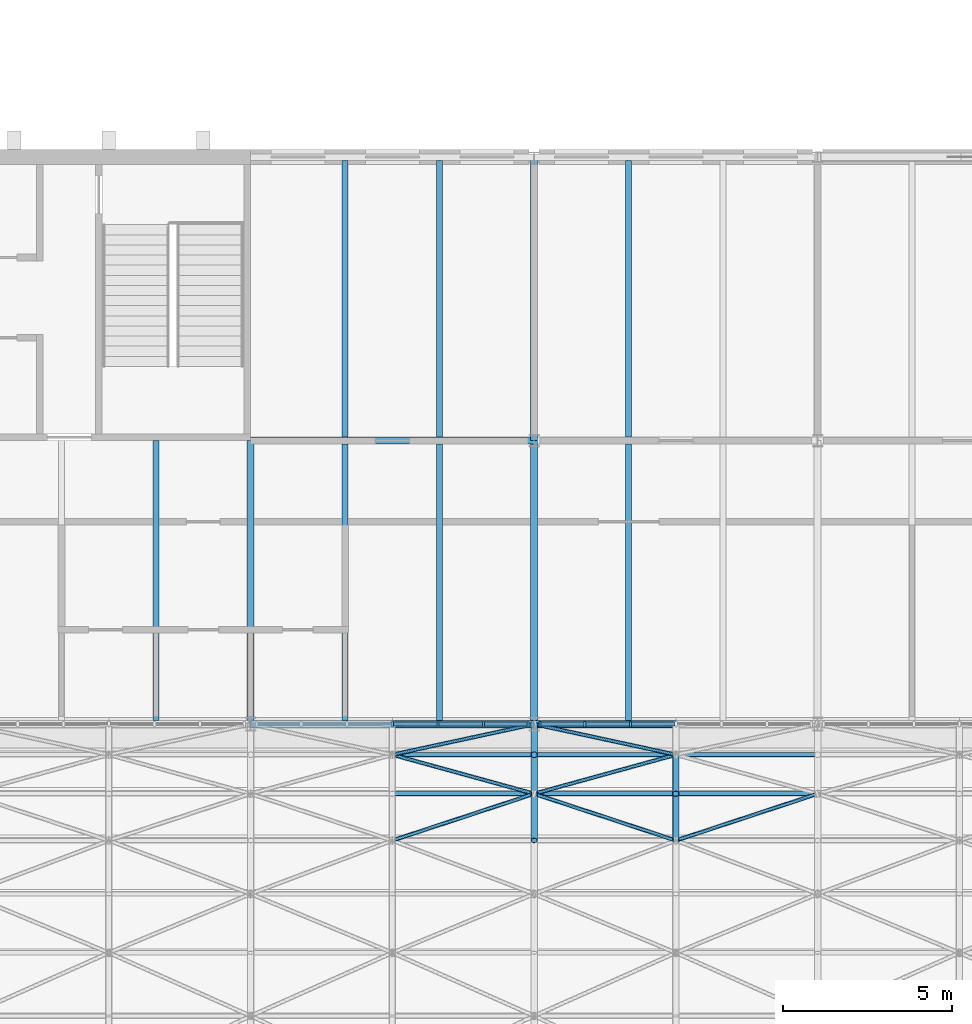
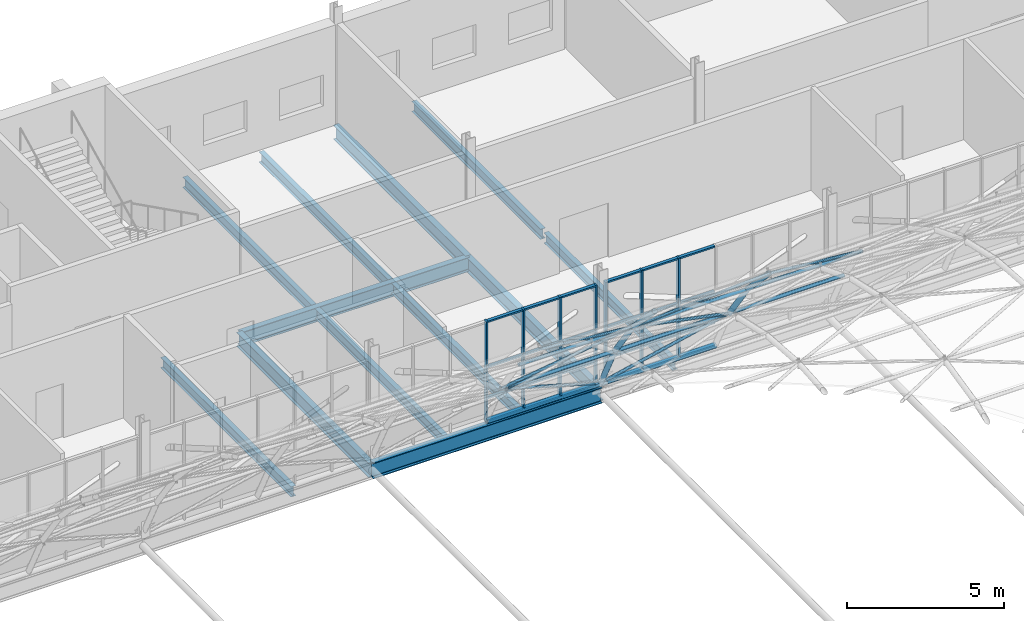
# One storey, part 54 of 121: 51 members, 12 beams, 2 elements without a shape of their own.
"""IFC4 building model written with IfcOpenShell, lengths in metres."""

import ifcopenshell
import ifcopenshell.guid

model = None  # the IFC model being written
_history = None  # IfcOwnerHistory: only IFC2X3 demands one
_inside = {}  # id of a spatial element -> (the spatial element, [elements in it])
_under = {}  # id of a project, library or spatial element -> (it, [spatial elements below it])
_declared = {}  # id of a project -> (the project, [libraries it declares])
_typed = {}  # id of a type object -> (the type object, [elements of that type])
_made_of = {}  # id of a material, layer set ... -> (it, [elements and type objects made of it])


def new_model(schema):
    """Start an empty IFC model of exactly this schema.

    Asked for "IFC4X3", IfcOpenShell would pick the latest addendum, in which some entities
    have other attributes; the version numbers below select the first issue.
    IFC2X3 requires an IfcOwnerHistory on every rooted entity: one is made here for all.
    """
    global model, _history
    if schema == "IFC4X3":
        model = ifcopenshell.file(schema_version=(4, 3, 0, 0))
    else:
        model = ifcopenshell.file(schema=schema)
    _inside.clear()
    _under.clear()
    _declared.clear()
    _typed.clear()
    _made_of.clear()
    _history = None
    if model.schema == "IFC2X3":
        org = make("IfcOrganization", Name="unknown")
        user = make(
            "IfcPersonAndOrganization",
            ThePerson=make("IfcPerson", FamilyName="unknown"),
            TheOrganization=org,
        )
        app = make(
            "IfcApplication",
            ApplicationDeveloper=org,
            Version="unknown",
            ApplicationFullName="unknown",
            ApplicationIdentifier="unknown",
        )
        _history = make(
            "IfcOwnerHistory",
            OwningUser=user,
            OwningApplication=app,
            ChangeAction="ADDED",
            CreationDate=0,
        )
    return model


def make(cls, **values):
    """One entity of the class cls with the attributes given. An attribute that is None is left unset."""
    return model.create_entity(
        cls, **{name: value for name, value in values.items() if value is not None}
    )


def rooted(cls, **values):
    """An entity with a GlobalId (a new one), such as an element, a storey or a relation."""
    return make(cls, GlobalId=ifcopenshell.guid.new(), OwnerHistory=_history, **values)


def si_unit(unit_type, name, prefix=None):
    """IfcSIUnit, for example si_unit("LENGTHUNIT", "METRE", prefix="MILLI")."""
    return make("IfcSIUnit", UnitType=unit_type, Prefix=prefix, Name=name)


def assignment(units):
    """IfcUnitAssignment: the units of a project."""
    return None if units is None else make("IfcUnitAssignment", Units=units)


def point(xyz):
    """IfcCartesianPoint."""
    return None if xyz is None else make("IfcCartesianPoint", Coordinates=xyz)


def direction(xyz):
    """IfcDirection."""
    return None if xyz is None else make("IfcDirection", DirectionRatios=xyz)


def frame(location, z_axis=None, x_axis=None):
    """IfcAxis2Placement3D, a coordinate frame: its origin and axes. An axis left out is left unset."""
    return make(
        "IfcAxis2Placement3D",
        Location=point(location),
        Axis=direction(z_axis),
        RefDirection=direction(x_axis),
    )


def frame_2d(location, x_axis=None):
    """IfcAxis2Placement2D, a coordinate frame in the plane: its origin and x axis."""
    return make(
        "IfcAxis2Placement2D", Location=point(location), RefDirection=direction(x_axis)
    )


def origin():
    """The frame at (0, 0, 0) with its axes left unset."""
    return frame((0.0, 0.0, 0.0))


def origin_2d():
    """The frame at (0, 0) in the plane with its x axis left unset."""
    return frame_2d((0.0, 0.0))


def place(relative_to, where):
    """IfcLocalPlacement: puts the frame where relative to a parent placement (None: the world)."""
    return make(
        "IfcLocalPlacement", PlacementRelTo=relative_to, RelativePlacement=where
    )


def context(
    kind, dimensions, precision=None, world=None, true_north=None, identifier=None
):
    """IfcGeometricRepresentationContext, for example the 3D "Model" context."""
    return make(
        "IfcGeometricRepresentationContext",
        ContextIdentifier=identifier,
        ContextType=kind,
        CoordinateSpaceDimension=dimensions,
        Precision=precision,
        WorldCoordinateSystem=world,
        TrueNorth=true_north,
    )


def subcontext(parent, identifier, kind, view, scale=None):
    """IfcGeometricRepresentationSubContext, for example "Body" below "Model"."""
    return make(
        "IfcGeometricRepresentationSubContext",
        ContextIdentifier=identifier,
        ContextType=kind,
        ParentContext=parent,
        TargetScale=scale,
        TargetView=view,
    )


def project(units=None, contexts=None):
    """IfcProject with its units and contexts."""
    return rooted(
        "IfcProject",
        Name="project",
        RepresentationContexts=contexts,
        UnitsInContext=assignment(units),
    )


def spatial(cls, under=None, at=None, **own):
    """A site, building, storey or space (cls), placed at a placement, below another one or the project."""
    s = rooted(cls, ObjectPlacement=at, **own)
    if under is not None:
        _under.setdefault(under.id(), (under, []))[1].append(s)
    return s


def profile(cls, at=None, kind="AREA", **sizes):
    """A parametric profile (cls). Its sizes go by their IFC names, for example OverallWidth=200.0."""
    return make(cls, ProfileType=kind, Position=at, **sizes)


def rectangle(**sizes):
    """IfcRectangleProfileDef."""
    return profile("IfcRectangleProfileDef", **sizes)


def hollow_circle(**sizes):
    """IfcCircleHollowProfileDef."""
    return profile("IfcCircleHollowProfileDef", **sizes)


def i_section(**sizes):
    """IfcIShapeProfileDef."""
    return profile("IfcIShapeProfileDef", **sizes)


def extrude(swept, where, along, depth):
    """IfcExtrudedAreaSolid: the profile swept, set in the frame where, extruded along a direction by depth."""
    return make(
        "IfcExtrudedAreaSolid",
        SweptArea=swept,
        Position=where,
        ExtrudedDirection=direction(along),
        Depth=depth,
    )


def shape(context_of_items, identifier, shape_type, items):
    """IfcShapeRepresentation: the items that make up one representation, for example the "Body"."""
    return make(
        "IfcShapeRepresentation",
        ContextOfItems=context_of_items,
        RepresentationIdentifier=identifier,
        RepresentationType=shape_type,
        Items=items,
    )


def material(Name=None, Category=None):
    """IfcMaterial."""
    return make("IfcMaterial", Name=Name, Category=Category)


def layer(
    of_material, thickness, ventilated=None, Name=None, Category=None, Priority=None
):
    """IfcMaterialLayer: one layer of a wall or slab, of a material (None: an air gap)."""
    return make(
        "IfcMaterialLayer",
        Material=of_material,
        LayerThickness=thickness,
        IsVentilated=ventilated,
        Name=Name,
        Category=Category,
        Priority=Priority,
    )


def layer_set(layers, Name=None):
    """IfcMaterialLayerSet."""
    return make("IfcMaterialLayerSet", MaterialLayers=layers, LayerSetName=Name)


def material_profile(
    of_material, cross_section, Name=None, Category=None, Priority=None
):
    """IfcMaterialProfile: a cross section and its material."""
    return make(
        "IfcMaterialProfile",
        Name=Name,
        Material=of_material,
        Profile=cross_section,
        Priority=Priority,
        Category=Category,
    )


def profile_set(profiles, Name=None, composite=None):
    """IfcMaterialProfileSet."""
    return make(
        "IfcMaterialProfileSet",
        Name=Name,
        MaterialProfiles=profiles,
        CompositeProfile=composite,
    )


def made_of(thing, what):
    """Note that an element or type object is made of a material, layer set ...; save() writes the relation."""
    if what is not None:
        _made_of.setdefault(what.id(), (what, []))[1].append(thing)
    return thing


def type_object(cls, material=None, **own):
    """A type object (cls), such as IfcWallType, which elements share."""
    return made_of(rooted(cls, **own), material)


def element(
    cls,
    number,
    at=None,
    inside=None,
    cuts=None,
    type_object=None,
    material=None,
    context=None,
    identifier="Body",
    shape_type=None,
    held_by="IfcProductDefinitionShape",
    body=None,
    shapes=None,
    **own,
):
    """One element of the class cls, such as IfcWall. Its Tag is "e" and its number.

    at: its placement. inside: the storey or other place that contains it. cuts: it is an
    opening in that element (IfcRelVoidsElement). A single representation is given by context,
    identifier, shape_type and body (its items); several are given by shapes. held_by: the class
    of the entity that holds the representations. save() writes the other relations.
    """
    e = rooted(cls, Tag="e%d" % number, ObjectPlacement=at, **own)
    if body is not None:
        shapes = [shape(context, identifier, shape_type, body)]
    if shapes is not None:
        e.Representation = make(held_by, Representations=shapes)
    if inside is not None:
        _inside.setdefault(inside.id(), (inside, []))[1].append(e)
    if cuts is not None:
        rooted(
            "IfcRelVoidsElement", RelatingBuildingElement=cuts, RelatedOpeningElement=e
        )
    if type_object is not None:
        _typed.setdefault(type_object.id(), (type_object, []))[1].append(e)
    return made_of(e, material)


def aggregate(whole, parts):
    """IfcRelAggregates: a whole, such as a stair, and the parts it consists of."""
    return rooted("IfcRelAggregates", RelatingObject=whole, RelatedObjects=parts)


def save(model, path):
    """Write the relations noted so far, then the file.

    IfcRelAggregates (storeys below a building ...), IfcRelContainedInSpatialStructure (elements
    in a storey), IfcRelDefinesByType, IfcRelAssociatesMaterial and IfcRelDeclares: one each for
    every whole, place, type object, material and project.
    """
    for whole, parts in _under.values():
        aggregate(whole, parts)
    for where, things in _inside.values():
        rooted(
            "IfcRelContainedInSpatialStructure",
            RelatedElements=things,
            RelatingStructure=where,
        )
    for kind, things in _typed.values():
        rooted("IfcRelDefinesByType", RelatedObjects=things, RelatingType=kind)
    for what, things in _made_of.values():
        rooted("IfcRelAssociatesMaterial", RelatedObjects=things, RelatingMaterial=what)
    for by, libraries in _declared.values():
        rooted("IfcRelDeclares", RelatingContext=by, RelatedDefinitions=libraries)
    model.write(path)


model = new_model("IFC4")

# Units and contexts
model_context = context("Model", 3, precision=1e-05, world=origin(), true_north=direction((0.0, 1.0)))
body_context = subcontext(model_context, "Body", "Model", "MODEL_VIEW")
ifc_project = project(units=[si_unit("LENGTHUNIT", "METRE"), si_unit("AREAUNIT", "SQUARE_METRE"), si_unit("VOLUMEUNIT", "CUBIC_METRE"), si_unit("PLANEANGLEUNIT", "RADIAN"), si_unit("MASSUNIT", "GRAM", prefix="KILO")], contexts=[model_context])

# Site, building, storey
site_placement = place(None, origin())
site = spatial("IfcSite", under=ifc_project, at=site_placement, CompositionType="ELEMENT")
building_placement = place(site_placement, origin())
building = spatial("IfcBuilding", under=site, at=building_placement, Name="Ardhachandra Cancer Care Centre", CompositionType="ELEMENT")
storey_placement = place(building_placement, frame((0.0, 0.0, 9.0)))
storey = spatial("IfcBuildingStorey", under=building, at=storey_placement, Name="L02", CompositionType="ELEMENT", Elevation=9.0)

# Beams
ifc_material_1 = material(Name="Steel E350 (IS 2062)", Category="steel")
ifc_material_profile_1 = material_profile(ifc_material_1, i_section(OverallWidth=0.179931640625, OverallDepth=0.39990234375, WebThickness=0.008544921875, FlangeThickness=0.013427734375, FilletRadius=0.02099609375, at=origin_2d()), Name="NPB 400x180x66.30")
ifc_profile_set_1 = profile_set([ifc_material_profile_1], Name="Steel E350 (IS 2062)")
beam_type_1 = type_object("IfcBeamType", Name="Beam NPB 400x180x66.30", PredefinedType="BEAM", material=ifc_profile_set_1)
beam_1_placement = place(storey_placement, frame((75.199951171875, 79.912109375, -0.35009765625), z_axis=(0.0, 1.0, 0.0), x_axis=(-1.0, 0.0, 0.0)))
element("IfcBeam", 1, at=beam_1_placement, inside=storey, type_object=beam_type_1, Name="Secondary J8-K8@5600", PredefinedType="BEAM", context=body_context, shape_type="SweptSolid", body=[
    extrude(i_section(OverallWidth=0.179931640625, OverallDepth=0.39990234375, WebThickness=0.008544921875, FlangeThickness=0.013427734375, FilletRadius=0.02099609375, at=origin_2d()), origin(), (0.0, 0.0, 1.0), 8.287841796875),
])
beam_2_placement = place(storey_placement, frame((80.800048828125, 79.912109375, -0.35009765625), z_axis=(0.0, 1.0, 0.0), x_axis=(-1.0, 0.0, 0.0)))
element("IfcBeam", 2, at=beam_2_placement, inside=storey, type_object=beam_type_1, Name="Secondary J9-K9@2800", PredefinedType="BEAM", context=body_context, shape_type="SweptSolid", body=[
    extrude(i_section(OverallWidth=0.179931640625, OverallDepth=0.39990234375, WebThickness=0.008544921875, FlangeThickness=0.013427734375, FilletRadius=0.02099609375, at=origin_2d()), origin(), (0.0, 0.0, 1.0), 8.182861328125),
])
beam_3_placement = place(storey_placement, frame((80.800048828125, 88.304931640625, -0.35009765625), z_axis=(0.0, 1.0, 0.0), x_axis=(-1.0, 0.0, 0.0)))
element("IfcBeam", 3, at=beam_3_placement, inside=storey, type_object=beam_type_1, Name="Secondary K9-L9@2800", PredefinedType="BEAM", context=body_context, shape_type="SweptSolid", body=[
    extrude(i_section(OverallWidth=0.179931640625, OverallDepth=0.39990234375, WebThickness=0.008544921875, FlangeThickness=0.013427734375, FilletRadius=0.02099609375, at=origin_2d()), origin(), (0.0, 0.0, 1.0), 8.195068359375),
])
beam_4_placement = place(storey_placement, frame((83.60009765625, 79.912109375, -0.35009765625), z_axis=(0.0, 1.0, 0.0), x_axis=(-1.0, 0.0, 0.0)))
element("IfcBeam", 4, at=beam_4_placement, inside=storey, type_object=beam_type_1, Name="Secondary J9-K9@5600", PredefinedType="BEAM", context=body_context, shape_type="SweptSolid", body=[
    extrude(i_section(OverallWidth=0.179931640625, OverallDepth=0.39990234375, WebThickness=0.008544921875, FlangeThickness=0.013427734375, FilletRadius=0.02099609375, at=origin_2d()), origin(), (0.0, 0.0, 1.0), 8.182861328125),
])
beam_5_placement = place(storey_placement, frame((83.60009765625, 88.304931640625, -0.35009765625), z_axis=(0.0, 1.0, 0.0), x_axis=(-1.0, 0.0, 0.0)))
element("IfcBeam", 5, at=beam_5_placement, inside=storey, type_object=beam_type_1, Name="Secondary K9-L9@5600", PredefinedType="BEAM", context=body_context, shape_type="SweptSolid", body=[
    extrude(i_section(OverallWidth=0.179931640625, OverallDepth=0.39990234375, WebThickness=0.008544921875, FlangeThickness=0.013427734375, FilletRadius=0.02099609375, at=origin_2d()), origin(), (0.0, 0.0, 1.0), 8.195068359375),
])
beam_6_placement = place(storey_placement, frame((89.199951171875, 79.912109375, -0.35009765625), z_axis=(0.0, 1.0, 0.0), x_axis=(-1.0, 0.0, 0.0)))
element("IfcBeam", 6, at=beam_6_placement, inside=storey, type_object=beam_type_1, Name="Secondary J10-K10@2800", PredefinedType="BEAM", context=body_context, shape_type="SweptSolid", body=[
    extrude(i_section(OverallWidth=0.179931640625, OverallDepth=0.39990234375, WebThickness=0.008544921875, FlangeThickness=0.013427734375, FilletRadius=0.02099609375, at=origin_2d()), origin(), (0.0, 0.0, 1.0), 8.182861328125),
])
beam_7_placement = place(storey_placement, frame((89.199951171875, 88.304931640625, -0.35009765625), z_axis=(0.0, 1.0, 0.0), x_axis=(-1.0, 0.0, 0.0)))
element("IfcBeam", 7, at=beam_7_placement, inside=storey, type_object=beam_type_1, Name="Secondary K10-L10@2800", PredefinedType="BEAM", context=body_context, shape_type="SweptSolid", body=[
    extrude(i_section(OverallWidth=0.179931640625, OverallDepth=0.39990234375, WebThickness=0.008544921875, FlangeThickness=0.013427734375, FilletRadius=0.02099609375, at=origin_2d()), origin(), (0.0, 0.0, 1.0), 8.195068359375),
])
ifc_material_2 = material(Name="Steel E350 (IS 2062)", Category="steel")
ifc_material_profile_2 = material_profile(ifc_material_2, i_section(OverallWidth=0.2099609375, OverallDepth=0.550048828125, WebThickness=0.010986328125, FlangeThickness=0.01708984375, FilletRadius=0.02392578125, at=origin_2d()), Name="NPB 550x210x105.52")
ifc_profile_set_2 = profile_set([ifc_material_profile_2], Name="Steel E350 (IS 2062)")
beam_type_2 = type_object("IfcBeamType", Name="Beam NPB 550x210x105.52", PredefinedType="BEAM", material=ifc_profile_set_2)
for number, where, z_axis, x_axis, name in (
    (8, (78.0, 88.199951171875, -0.425048828125), (1.0, 0.0, 0.0), (0.0, 1.0, 0.0), "Girder K9-K10"),
    (9, (78.0, 79.800048828125, -0.425048828125), (0.0, 1.0, 0.0), (-1.0, 0.0, 0.0), "Girder J9-K9"),
    (10, (86.39990234375, 79.800048828125, -0.425048828125), (0.0, 1.0, 0.0), (-1.0, 0.0, 0.0), "Girder J10-K10"),
):
    element("IfcBeam", number, at=place(storey_placement, frame(where, z_axis=z_axis, x_axis=x_axis)), inside=storey, type_object=beam_type_2, Name=name, PredefinedType="BEAM", context=body_context, shape_type="SweptSolid", body=[
        extrude(i_section(OverallWidth=0.2099609375, OverallDepth=0.550048828125, WebThickness=0.010986328125, FlangeThickness=0.01708984375, FilletRadius=0.02392578125, at=origin_2d()), origin(), (0.0, 0.0, 1.0), 8.39990234375),
    ])
beam_8_placement = place(storey_placement, frame((86.39990234375, 88.199951171875, -0.425048828125), z_axis=(0.0, 1.0, 0.0), x_axis=(-1.0, 0.0, 0.0)))
element("IfcBeam", 11, at=beam_8_placement, inside=storey, type_object=beam_type_2, Name="Girder K10-L10", PredefinedType="BEAM", context=body_context, shape_type="SweptSolid", body=[
    extrude(i_section(OverallWidth=0.2099609375, OverallDepth=0.550048828125, WebThickness=0.010986328125, FlangeThickness=0.01708984375, FilletRadius=0.02392578125, at=origin_2d()), origin(), (0.0, 0.0, 1.0), 8.400146484375),
])
ifc_material_3 = material(Name="Steel E350 (IS 2062)", Category="steel")
ifc_material_profile_3 = material_profile(ifc_material_3, i_section(OverallWidth=0.22412109375, OverallDepth=0.610107421875, WebThickness=0.014892578125, FlangeThickness=0.02392578125, FilletRadius=0.02392578125, at=origin_2d()), Name="NPB 600x220x154.46")
ifc_profile_set_3 = profile_set([ifc_material_profile_3], Name="Steel E350 (IS 2062)")
beam_type_3 = type_object("IfcBeamType", Name="Beam NPB 600x220x154.46", PredefinedType="BEAM", material=ifc_profile_set_3)
beam_9_placement = place(storey_placement, frame((78.0, 79.800048828125, -0.41455078125), z_axis=(1.0, 0.0, 0.0), x_axis=(0.0, 1.0, 0.0)))
element("IfcBeam", 12, at=beam_9_placement, inside=storey, type_object=beam_type_3, Name="Shell edge beam J9-J10", PredefinedType="BEAM", context=body_context, shape_type="SweptSolid", body=[
    extrude(i_section(OverallWidth=0.22412109375, OverallDepth=0.610107421875, WebThickness=0.014892578125, FlangeThickness=0.02392578125, FilletRadius=0.02392578125, at=origin_2d()), origin(), (0.0, 0.0, 1.0), 8.39990234375),
])

# Curtain wall, members
ifc_material_4 = material(Name="Aluminium extrusion", Category="aluminium")
ifc_layer = layer(ifc_material_4, 0.14990234375)
ifc_layer_set = layer_set([ifc_layer], Name="Aluminium extrusion")
curtain_wall_type = type_object("IfcCurtainWallType", Name="Curtain wall run", PredefinedType="NOTDEFINED", material=ifc_layer_set)
curtain_wall_1_placement = place(storey_placement, origin())
curtain_wall_1 = element("IfcCurtainWall", 13, at=curtain_wall_1_placement, inside=storey, type_object=curtain_wall_type, Name="Curtain wall L02 s/0078000_0079800", PredefinedType="NOTDEFINED")
ifc_material_5 = material(Name="Aluminium extrusion", Category="aluminium")
ifc_material_profile_4 = material_profile(ifc_material_5, rectangle(XDim=0.159912109375, YDim=0.06005859375, at=origin_2d()), Name="Curtain wall mullion 60 x 160")
ifc_profile_set_4 = profile_set([ifc_material_profile_4], Name="Aluminium extrusion")
member_type_1 = type_object("IfcMemberType", Name="Curtain wall mullion 60 x 160", PredefinedType="MULLION", material=ifc_profile_set_4)
member_1_placement = place(storey_placement, frame((82.199951171875, 79.800048828125, 0.0), z_axis=(0.0, 0.0, 1.0), x_axis=(0.0, 1.0, 0.0)))
member_1 = element("IfcMember", 14, at=member_1_placement, type_object=member_type_1, Name="CW mullion 4", PredefinedType="MULLION", context=body_context, shape_type="SweptSolid", body=[
    extrude(rectangle(XDim=0.159912109375, YDim=0.06005859375, at=origin_2d()), origin(), (0.0, 0.0, 1.0), 3.885986328125),
])
member_2_placement = place(storey_placement, frame((83.550048828125, 79.800048828125, 0.0), z_axis=(0.0, 0.0, 1.0), x_axis=(0.0, 1.0, 0.0)))
member_2 = element("IfcMember", 15, at=member_2_placement, type_object=member_type_1, Name="CW mullion 5", PredefinedType="MULLION", context=body_context, shape_type="SweptSolid", body=[
    extrude(rectangle(XDim=0.159912109375, YDim=0.06005859375, at=origin_2d()), origin(), (0.0, 0.0, 1.0), 3.885986328125),
])
member_3_placement = place(storey_placement, frame((84.89990234375, 79.800048828125, 0.0), z_axis=(0.0, 0.0, 1.0), x_axis=(0.0, 1.0, 0.0)))
member_3 = element("IfcMember", 16, at=member_3_placement, type_object=member_type_1, Name="CW mullion 6", PredefinedType="MULLION", context=body_context, shape_type="SweptSolid", body=[
    extrude(rectangle(XDim=0.159912109375, YDim=0.06005859375, at=origin_2d()), origin(), (0.0, 0.0, 1.0), 3.885986328125),
])
member_4_placement = place(storey_placement, frame((86.219970703125, 79.800048828125, 0.0), z_axis=(0.0, 0.0, 1.0), x_axis=(0.0, 1.0, 0.0)))
member_4 = element("IfcMember", 17, at=member_4_placement, type_object=member_type_1, Name="CW mullion 7", PredefinedType="MULLION", context=body_context, shape_type="SweptSolid", body=[
    extrude(rectangle(XDim=0.159912109375, YDim=0.06005859375, at=origin_2d()), origin(), (0.0, 0.0, 1.0), 3.885986328125),
])

curtain_wall_2_placement = place(storey_placement, origin())
curtain_wall_2 = element("IfcCurtainWall", 18, at=curtain_wall_2_placement, inside=storey, type_object=curtain_wall_type, Name="Curtain wall L02 s/0086400_0079800", PredefinedType="NOTDEFINED")
member_5_placement = place(storey_placement, frame((86.580078125, 79.800048828125, 0.0), z_axis=(0.0, 0.0, 1.0), x_axis=(0.0, 1.0, 0.0)))
member_5 = element("IfcMember", 19, at=member_5_placement, type_object=member_type_1, Name="CW mullion 1", PredefinedType="MULLION", context=body_context, shape_type="SweptSolid", body=[
    extrude(rectangle(XDim=0.159912109375, YDim=0.06005859375, at=origin_2d()), origin(), (0.0, 0.0, 1.0), 3.885986328125),
])
member_6_placement = place(storey_placement, frame((87.89990234375, 79.800048828125, 0.0), z_axis=(0.0, 0.0, 1.0), x_axis=(0.0, 1.0, 0.0)))
member_6 = element("IfcMember", 20, at=member_6_placement, type_object=member_type_1, Name="CW mullion 2", PredefinedType="MULLION", context=body_context, shape_type="SweptSolid", body=[
    extrude(rectangle(XDim=0.159912109375, YDim=0.06005859375, at=origin_2d()), origin(), (0.0, 0.0, 1.0), 3.885986328125),
])
member_7_placement = place(storey_placement, frame((89.25, 79.800048828125, 0.0), z_axis=(0.0, 0.0, 1.0), x_axis=(0.0, 1.0, 0.0)))
member_7 = element("IfcMember", 21, at=member_7_placement, type_object=member_type_1, Name="CW mullion 3", PredefinedType="MULLION", context=body_context, shape_type="SweptSolid", body=[
    extrude(rectangle(XDim=0.159912109375, YDim=0.06005859375, at=origin_2d()), origin(), (0.0, 0.0, 1.0), 3.885986328125),
])

# Member
ifc_material_6 = material(Name="Aluminium extrusion", Category="aluminium")
ifc_material_profile_5 = material_profile(ifc_material_6, rectangle(XDim=0.1201171875, YDim=0.06005859375, at=origin_2d()), Name="Curtain wall transom 60 x 120")
ifc_profile_set_5 = profile_set([ifc_material_profile_5], Name="Aluminium extrusion")
member_type_2 = type_object("IfcMemberType", Name="Curtain wall transom 60 x 120", PredefinedType="USERDEFINED", material=ifc_profile_set_5)
member_8_placement = place(storey_placement, frame((82.22998046875, 79.800048828125, 0.030029296875), z_axis=(1.0, 0.0, 0.0), x_axis=(0.0, 1.0, 0.0)))
member_8 = element("IfcMember", 22, at=member_8_placement, type_object=member_type_2, Name="CW transom 4.1", ObjectType="TRANSOM", PredefinedType="USERDEFINED", context=body_context, shape_type="SweptSolid", body=[
    extrude(rectangle(XDim=0.1201171875, YDim=0.06005859375, at=origin_2d()), origin(), (0.0, 0.0, 1.0), 1.2900390625),
])

member_9_placement = place(storey_placement, frame((82.22998046875, 79.800048828125, 0.89990234375), z_axis=(1.0, 0.0, 0.0), x_axis=(0.0, 1.0, 0.0)))
member_9 = element("IfcMember", 23, at=member_9_placement, type_object=member_type_2, Name="CW transom 4.2", ObjectType="TRANSOM", PredefinedType="USERDEFINED", context=body_context, shape_type="SweptSolid", body=[
    extrude(rectangle(XDim=0.1201171875, YDim=0.06005859375, at=origin_2d()), origin(), (0.0, 0.0, 1.0), 1.2900390625),
])

member_10_placement = place(storey_placement, frame((82.22998046875, 79.800048828125, 2.10009765625), z_axis=(1.0, 0.0, 0.0), x_axis=(0.0, 1.0, 0.0)))
member_10 = element("IfcMember", 24, at=member_10_placement, type_object=member_type_2, Name="CW transom 4.3", ObjectType="TRANSOM", PredefinedType="USERDEFINED", context=body_context, shape_type="SweptSolid", body=[
    extrude(rectangle(XDim=0.1201171875, YDim=0.06005859375, at=origin_2d()), origin(), (0.0, 0.0, 1.0), 1.2900390625),
])

member_11_placement = place(storey_placement, frame((82.22998046875, 79.800048828125, 3.85595703125), z_axis=(1.0, 0.0, 0.0), x_axis=(0.0, 1.0, 0.0)))
member_11 = element("IfcMember", 25, at=member_11_placement, type_object=member_type_2, Name="CW transom 4.4", ObjectType="TRANSOM", PredefinedType="USERDEFINED", context=body_context, shape_type="SweptSolid", body=[
    extrude(rectangle(XDim=0.1201171875, YDim=0.06005859375, at=origin_2d()), origin(), (0.0, 0.0, 1.0), 1.2900390625),
])

member_12_placement = place(storey_placement, frame((83.580078125, 79.800048828125, 0.030029296875), z_axis=(1.0, 0.0, 0.0), x_axis=(0.0, 1.0, 0.0)))
member_12 = element("IfcMember", 26, at=member_12_placement, type_object=member_type_2, Name="CW transom 5.1", ObjectType="TRANSOM", PredefinedType="USERDEFINED", context=body_context, shape_type="SweptSolid", body=[
    extrude(rectangle(XDim=0.1201171875, YDim=0.06005859375, at=origin_2d()), origin(), (0.0, 0.0, 1.0), 1.2900390625),
])

member_13_placement = place(storey_placement, frame((83.580078125, 79.800048828125, 0.89990234375), z_axis=(1.0, 0.0, 0.0), x_axis=(0.0, 1.0, 0.0)))
member_13 = element("IfcMember", 27, at=member_13_placement, type_object=member_type_2, Name="CW transom 5.2", ObjectType="TRANSOM", PredefinedType="USERDEFINED", context=body_context, shape_type="SweptSolid", body=[
    extrude(rectangle(XDim=0.1201171875, YDim=0.06005859375, at=origin_2d()), origin(), (0.0, 0.0, 1.0), 1.2900390625),
])

member_14_placement = place(storey_placement, frame((83.580078125, 79.800048828125, 2.10009765625), z_axis=(1.0, 0.0, 0.0), x_axis=(0.0, 1.0, 0.0)))
member_14 = element("IfcMember", 28, at=member_14_placement, type_object=member_type_2, Name="CW transom 5.3", ObjectType="TRANSOM", PredefinedType="USERDEFINED", context=body_context, shape_type="SweptSolid", body=[
    extrude(rectangle(XDim=0.1201171875, YDim=0.06005859375, at=origin_2d()), origin(), (0.0, 0.0, 1.0), 1.2900390625),
])

member_15_placement = place(storey_placement, frame((83.580078125, 79.800048828125, 3.85595703125), z_axis=(1.0, 0.0, 0.0), x_axis=(0.0, 1.0, 0.0)))
member_15 = element("IfcMember", 29, at=member_15_placement, type_object=member_type_2, Name="CW transom 5.4", ObjectType="TRANSOM", PredefinedType="USERDEFINED", context=body_context, shape_type="SweptSolid", body=[
    extrude(rectangle(XDim=0.1201171875, YDim=0.06005859375, at=origin_2d()), origin(), (0.0, 0.0, 1.0), 1.2900390625),
])

member_16_placement = place(storey_placement, frame((84.929931640625, 79.800048828125, 0.030029296875), z_axis=(1.0, 0.0, 0.0), x_axis=(0.0, 1.0, 0.0)))
member_16 = element("IfcMember", 30, at=member_16_placement, type_object=member_type_2, Name="CW transom 6.1", ObjectType="TRANSOM", PredefinedType="USERDEFINED", context=body_context, shape_type="SweptSolid", body=[
    extrude(rectangle(XDim=0.1201171875, YDim=0.06005859375, at=origin_2d()), origin(), (0.0, 0.0, 1.0), 1.260009765625),
])

member_17_placement = place(storey_placement, frame((84.929931640625, 79.800048828125, 0.89990234375), z_axis=(1.0, 0.0, 0.0), x_axis=(0.0, 1.0, 0.0)))
member_17 = element("IfcMember", 31, at=member_17_placement, type_object=member_type_2, Name="CW transom 6.2", ObjectType="TRANSOM", PredefinedType="USERDEFINED", context=body_context, shape_type="SweptSolid", body=[
    extrude(rectangle(XDim=0.1201171875, YDim=0.06005859375, at=origin_2d()), origin(), (0.0, 0.0, 1.0), 1.260009765625),
])

member_18_placement = place(storey_placement, frame((84.929931640625, 79.800048828125, 2.10009765625), z_axis=(1.0, 0.0, 0.0), x_axis=(0.0, 1.0, 0.0)))
member_18 = element("IfcMember", 32, at=member_18_placement, type_object=member_type_2, Name="CW transom 6.3", ObjectType="TRANSOM", PredefinedType="USERDEFINED", context=body_context, shape_type="SweptSolid", body=[
    extrude(rectangle(XDim=0.1201171875, YDim=0.06005859375, at=origin_2d()), origin(), (0.0, 0.0, 1.0), 1.260009765625),
])

member_19_placement = place(storey_placement, frame((84.929931640625, 79.800048828125, 3.85595703125), z_axis=(1.0, 0.0, 0.0), x_axis=(0.0, 1.0, 0.0)))
member_19 = element("IfcMember", 33, at=member_19_placement, type_object=member_type_2, Name="CW transom 6.4", ObjectType="TRANSOM", PredefinedType="USERDEFINED", context=body_context, shape_type="SweptSolid", body=[
    extrude(rectangle(XDim=0.1201171875, YDim=0.06005859375, at=origin_2d()), origin(), (0.0, 0.0, 1.0), 1.260009765625),
])

aggregate(curtain_wall_1, [member_1, member_2, member_3, member_4, member_8, member_9, member_10, member_11, member_12, member_13, member_14, member_15, member_16, member_17, member_18, member_19])

member_20_placement = place(storey_placement, frame((86.610107421875, 79.800048828125, 0.030029296875), z_axis=(1.0, 0.0, 0.0), x_axis=(0.0, 1.0, 0.0)))
member_20 = element("IfcMember", 34, at=member_20_placement, type_object=member_type_2, Name="CW transom 1.1", ObjectType="TRANSOM", PredefinedType="USERDEFINED", context=body_context, shape_type="SweptSolid", body=[
    extrude(rectangle(XDim=0.1201171875, YDim=0.06005859375, at=origin_2d()), origin(), (0.0, 0.0, 1.0), 1.260009765625),
])

member_21_placement = place(storey_placement, frame((86.610107421875, 79.800048828125, 0.89990234375), z_axis=(1.0, 0.0, 0.0), x_axis=(0.0, 1.0, 0.0)))
member_21 = element("IfcMember", 35, at=member_21_placement, type_object=member_type_2, Name="CW transom 1.2", ObjectType="TRANSOM", PredefinedType="USERDEFINED", context=body_context, shape_type="SweptSolid", body=[
    extrude(rectangle(XDim=0.1201171875, YDim=0.06005859375, at=origin_2d()), origin(), (0.0, 0.0, 1.0), 1.260009765625),
])

member_22_placement = place(storey_placement, frame((86.610107421875, 79.800048828125, 2.10009765625), z_axis=(1.0, 0.0, 0.0), x_axis=(0.0, 1.0, 0.0)))
member_22 = element("IfcMember", 36, at=member_22_placement, type_object=member_type_2, Name="CW transom 1.3", ObjectType="TRANSOM", PredefinedType="USERDEFINED", context=body_context, shape_type="SweptSolid", body=[
    extrude(rectangle(XDim=0.1201171875, YDim=0.06005859375, at=origin_2d()), origin(), (0.0, 0.0, 1.0), 1.260009765625),
])

member_23_placement = place(storey_placement, frame((86.610107421875, 79.800048828125, 3.85595703125), z_axis=(1.0, 0.0, 0.0), x_axis=(0.0, 1.0, 0.0)))
member_23 = element("IfcMember", 37, at=member_23_placement, type_object=member_type_2, Name="CW transom 1.4", ObjectType="TRANSOM", PredefinedType="USERDEFINED", context=body_context, shape_type="SweptSolid", body=[
    extrude(rectangle(XDim=0.1201171875, YDim=0.06005859375, at=origin_2d()), origin(), (0.0, 0.0, 1.0), 1.260009765625),
])

member_24_placement = place(storey_placement, frame((87.929931640625, 79.800048828125, 0.030029296875), z_axis=(1.0, 0.0, 0.0), x_axis=(0.0, 1.0, 0.0)))
member_24 = element("IfcMember", 38, at=member_24_placement, type_object=member_type_2, Name="CW transom 2.1", ObjectType="TRANSOM", PredefinedType="USERDEFINED", context=body_context, shape_type="SweptSolid", body=[
    extrude(rectangle(XDim=0.1201171875, YDim=0.06005859375, at=origin_2d()), origin(), (0.0, 0.0, 1.0), 1.2900390625),
])

member_25_placement = place(storey_placement, frame((87.929931640625, 79.800048828125, 0.89990234375), z_axis=(1.0, 0.0, 0.0), x_axis=(0.0, 1.0, 0.0)))
member_25 = element("IfcMember", 39, at=member_25_placement, type_object=member_type_2, Name="CW transom 2.2", ObjectType="TRANSOM", PredefinedType="USERDEFINED", context=body_context, shape_type="SweptSolid", body=[
    extrude(rectangle(XDim=0.1201171875, YDim=0.06005859375, at=origin_2d()), origin(), (0.0, 0.0, 1.0), 1.2900390625),
])

member_26_placement = place(storey_placement, frame((87.929931640625, 79.800048828125, 2.10009765625), z_axis=(1.0, 0.0, 0.0), x_axis=(0.0, 1.0, 0.0)))
member_26 = element("IfcMember", 40, at=member_26_placement, type_object=member_type_2, Name="CW transom 2.3", ObjectType="TRANSOM", PredefinedType="USERDEFINED", context=body_context, shape_type="SweptSolid", body=[
    extrude(rectangle(XDim=0.1201171875, YDim=0.06005859375, at=origin_2d()), origin(), (0.0, 0.0, 1.0), 1.2900390625),
])

member_27_placement = place(storey_placement, frame((87.929931640625, 79.800048828125, 3.85595703125), z_axis=(1.0, 0.0, 0.0), x_axis=(0.0, 1.0, 0.0)))
member_27 = element("IfcMember", 41, at=member_27_placement, type_object=member_type_2, Name="CW transom 2.4", ObjectType="TRANSOM", PredefinedType="USERDEFINED", context=body_context, shape_type="SweptSolid", body=[
    extrude(rectangle(XDim=0.1201171875, YDim=0.06005859375, at=origin_2d()), origin(), (0.0, 0.0, 1.0), 1.2900390625),
])

member_28_placement = place(storey_placement, frame((89.280029296875, 79.800048828125, 0.030029296875), z_axis=(1.0, 0.0, 0.0), x_axis=(0.0, 1.0, 0.0)))
member_28 = element("IfcMember", 42, at=member_28_placement, type_object=member_type_2, Name="CW transom 3.1", ObjectType="TRANSOM", PredefinedType="USERDEFINED", context=body_context, shape_type="SweptSolid", body=[
    extrude(rectangle(XDim=0.1201171875, YDim=0.06005859375, at=origin_2d()), origin(), (0.0, 0.0, 1.0), 1.2900390625),
])

member_29_placement = place(storey_placement, frame((89.280029296875, 79.800048828125, 0.89990234375), z_axis=(1.0, 0.0, 0.0), x_axis=(0.0, 1.0, 0.0)))
member_29 = element("IfcMember", 43, at=member_29_placement, type_object=member_type_2, Name="CW transom 3.2", ObjectType="TRANSOM", PredefinedType="USERDEFINED", context=body_context, shape_type="SweptSolid", body=[
    extrude(rectangle(XDim=0.1201171875, YDim=0.06005859375, at=origin_2d()), origin(), (0.0, 0.0, 1.0), 1.2900390625),
])

member_30_placement = place(storey_placement, frame((89.280029296875, 79.800048828125, 2.10009765625), z_axis=(1.0, 0.0, 0.0), x_axis=(0.0, 1.0, 0.0)))
member_30 = element("IfcMember", 44, at=member_30_placement, type_object=member_type_2, Name="CW transom 3.3", ObjectType="TRANSOM", PredefinedType="USERDEFINED", context=body_context, shape_type="SweptSolid", body=[
    extrude(rectangle(XDim=0.1201171875, YDim=0.06005859375, at=origin_2d()), origin(), (0.0, 0.0, 1.0), 1.2900390625),
])

member_31_placement = place(storey_placement, frame((89.280029296875, 79.800048828125, 3.85595703125), z_axis=(1.0, 0.0, 0.0), x_axis=(0.0, 1.0, 0.0)))
member_31 = element("IfcMember", 45, at=member_31_placement, type_object=member_type_2, Name="CW transom 3.4", ObjectType="TRANSOM", PredefinedType="USERDEFINED", context=body_context, shape_type="SweptSolid", body=[
    extrude(rectangle(XDim=0.1201171875, YDim=0.06005859375, at=origin_2d()), origin(), (0.0, 0.0, 1.0), 1.2900390625),
])

aggregate(curtain_wall_2, [member_5, member_6, member_7, member_20, member_21, member_22, member_23, member_24, member_25, member_26, member_27, member_28, member_29, member_30, member_31])

# Members
ifc_material_7 = material(Name="Steel E350 (IS 2062)", Category="steel")
ifc_material_profile_6 = material_profile(ifc_material_7, hollow_circle(Radius=0.05712890625, WallThickness=0.0048828125, at=origin_2d()), Name="CHS 114.3x5.0")
ifc_profile_set_6 = profile_set([ifc_material_profile_6], Name="Steel E350 (IS 2062)")
member_type_3 = type_object("IfcMemberType", Name="Hall shell Diagonal CHS 114.3x5.0", PredefinedType="BRACE", material=ifc_profile_set_6)
for number, where, z_axis, x_axis, name in (
    (46, (82.199951171875, 76.353515625, 4.8759765625), (0.902457097304, 0.297496610987, -0.311555699639), (-0.313079224057, 0.949727013128, 0.0), "Hall shell diagonal 09-13"),
    (47, (86.39990234375, 77.738037109375, 3.426025390625), (-0.902461325562, 0.248605721202, -0.351793620253), (-0.265582388334, -0.964088167652, 0.0), "Hall shell diagonal 10-14"),
    (48, (82.199951171875, 78.89501953125, 1.788818359375), (0.902463534711, 0.194467960424, -0.384371930409), (-0.210650483477, 0.977561442474, 0.0), "Hall shell diagonal 09-15"),
):
    element("IfcMember", number, at=place(storey_placement, frame(where, z_axis=z_axis, x_axis=x_axis)), inside=storey, type_object=member_type_3, Name=name, PredefinedType="BRACE", context=body_context, shape_type="SweptSolid", body=[
        extrude(hollow_circle(Radius=0.05712890625, WallThickness=0.0048828125, at=origin_2d()), origin(), (0.0, 0.0, 1.0), 4.65380859375),
    ])
for number, where, z_axis, x_axis, name in (
    (49, (90.60009765625, 76.353515625, 4.8759765625), (-0.902466831544, 0.297482527417, -0.311540950508), (-0.313062809615, -0.94973242402, 0.0), "Hall shell diagonal 11-13"),
    (50, (86.39990234375, 77.738037109375, 3.426025390625), (0.902471059448, 0.24859395203, -0.351776966093), (-0.26556803985, 0.964092120189, 0.0), "Hall shell diagonal 10-14"),
    (51, (90.60009765625, 78.89501953125, 1.788818359375), (-0.902473268411, 0.194458754127, -0.384353733879), (-0.210638782481, -0.977563963797, 0.0), "Hall shell diagonal 11-15"),
):
    element("IfcMember", number, at=place(storey_placement, frame(where, z_axis=z_axis, x_axis=x_axis)), inside=storey, type_object=member_type_3, Name=name, PredefinedType="BRACE", context=body_context, shape_type="SweptSolid", body=[
        extrude(hollow_circle(Radius=0.05712890625, WallThickness=0.0048828125, at=origin_2d()), origin(), (0.0, 0.0, 1.0), 4.654052734375),
    ])
member_32_placement = place(storey_placement, frame((90.60009765625, 76.353515625, 4.8759765625), z_axis=(0.902457097304, 0.297496610987, -0.311555699639), x_axis=(-0.313079224057, 0.949727013128, 0.0)))
element("IfcMember", 52, at=member_32_placement, inside=storey, type_object=member_type_3, Name="Hall shell diagonal 11-13", PredefinedType="BRACE", context=body_context, shape_type="SweptSolid", body=[
    extrude(hollow_circle(Radius=0.05712890625, WallThickness=0.0048828125, at=origin_2d()), origin(), (0.0, 0.0, 1.0), 4.65380859375),
])
ifc_material_8 = material(Name="Steel E350 (IS 2062)", Category="steel")
ifc_material_profile_7 = material_profile(ifc_material_8, hollow_circle(Radius=0.06982421875, WallThickness=0.0048828125, at=origin_2d()), Name="CHS 139.7x5.0")
ifc_profile_set_7 = profile_set([ifc_material_profile_7], Name="Steel E350 (IS 2062)")
member_type_4 = type_object("IfcMemberType", Name="Hall shell Purlin CHS 139.7x5.0", PredefinedType="PURLIN", material=ifc_profile_set_7)
member_33_placement = place(storey_placement, frame((82.199951171875, 77.738037109375, 3.426025390625), z_axis=(1.0, 0.0, 0.0), x_axis=(0.0, 1.0, 0.0)))
element("IfcMember", 53, at=member_33_placement, inside=storey, type_object=member_type_4, Name="Hall shell purlin 09-14", PredefinedType="PURLIN", context=body_context, shape_type="SweptSolid", body=[
    extrude(hollow_circle(Radius=0.06982421875, WallThickness=0.0048828125, at=origin_2d()), origin(), (0.0, 0.0, 1.0), 4.199951171875),
])
member_34_placement = place(storey_placement, frame((86.39990234375, 77.738037109375, 3.426025390625), z_axis=(1.0, 0.0, 0.0), x_axis=(0.0, 1.0, 0.0)))
element("IfcMember", 54, at=member_34_placement, inside=storey, type_object=member_type_4, Name="Hall shell purlin 10-14", PredefinedType="PURLIN", context=body_context, shape_type="SweptSolid", body=[
    extrude(hollow_circle(Radius=0.06982421875, WallThickness=0.0048828125, at=origin_2d()), origin(), (0.0, 0.0, 1.0), 4.2001953125),
])
for number, where, z_axis, x_axis, name in (
    (55, (90.60009765625, 77.738037109375, 3.426025390625), (1.0, 0.0, 0.0), (0.0, 1.0, 0.0), "Hall shell purlin 11-14"),
    (56, (82.199951171875, 78.89501953125, 1.788818359375), (1.0, 0.0, 0.0), (0.0, 1.0, 0.0), "Hall shell purlin 09-15"),
):
    element("IfcMember", number, at=place(storey_placement, frame(where, z_axis=z_axis, x_axis=x_axis)), inside=storey, type_object=member_type_4, Name=name, PredefinedType="PURLIN", context=body_context, shape_type="SweptSolid", body=[
        extrude(hollow_circle(Radius=0.06982421875, WallThickness=0.0048828125, at=origin_2d()), origin(), (0.0, 0.0, 1.0), 4.199951171875),
    ])
member_35_placement = place(storey_placement, frame((86.39990234375, 78.89501953125, 1.788818359375), z_axis=(1.0, 0.0, 0.0), x_axis=(0.0, 1.0, 0.0)))
element("IfcMember", 57, at=member_35_placement, inside=storey, type_object=member_type_4, Name="Hall shell purlin 10-15", PredefinedType="PURLIN", context=body_context, shape_type="SweptSolid", body=[
    extrude(hollow_circle(Radius=0.06982421875, WallThickness=0.0048828125, at=origin_2d()), origin(), (0.0, 0.0, 1.0), 4.2001953125),
])
member_36_placement = place(storey_placement, frame((90.60009765625, 78.89501953125, 1.788818359375), z_axis=(1.0, 0.0, 0.0), x_axis=(0.0, 1.0, 0.0)))
element("IfcMember", 58, at=member_36_placement, inside=storey, type_object=member_type_4, Name="Hall shell purlin 11-15", PredefinedType="PURLIN", context=body_context, shape_type="SweptSolid", body=[
    extrude(hollow_circle(Radius=0.06982421875, WallThickness=0.0048828125, at=origin_2d()), origin(), (0.0, 0.0, 1.0), 4.199951171875),
])
ifc_material_9 = material(Name="Steel E350 (IS 2062)", Category="steel")
ifc_material_profile_8 = material_profile(ifc_material_9, hollow_circle(Radius=0.109619140625, WallThickness=0.008056640625, at=origin_2d()), Name="CHS 219.1x8.0")
ifc_profile_set_8 = profile_set([ifc_material_profile_8], Name="Steel E350 (IS 2062)")
member_type_5 = type_object("IfcMemberType", Name="Hall shell Purlin CHS 219.1x8.0", PredefinedType="PURLIN", material=ifc_profile_set_8)
member_37_placement = place(storey_placement, frame((82.199951171875, 79.800048828125, 0.0), z_axis=(1.0, 0.0, 0.0), x_axis=(0.0, 1.0, 0.0)))
element("IfcMember", 59, at=member_37_placement, inside=storey, type_object=member_type_5, Name="Hall shell purlin 09-16", PredefinedType="PURLIN", context=body_context, shape_type="SweptSolid", body=[
    extrude(hollow_circle(Radius=0.109619140625, WallThickness=0.008056640625, at=origin_2d()), origin(), (0.0, 0.0, 1.0), 4.199951171875),
])
member_38_placement = place(storey_placement, frame((86.39990234375, 79.800048828125, 0.0), z_axis=(1.0, 0.0, 0.0), x_axis=(0.0, 1.0, 0.0)))
element("IfcMember", 60, at=member_38_placement, inside=storey, type_object=member_type_5, Name="Hall shell purlin 10-16", PredefinedType="PURLIN", context=body_context, shape_type="SweptSolid", body=[
    extrude(hollow_circle(Radius=0.109619140625, WallThickness=0.008056640625, at=origin_2d()), origin(), (0.0, 0.0, 1.0), 4.2001953125),
])
ifc_material_10 = material(Name="Steel E350 (IS 2062)", Category="steel")
ifc_material_profile_9 = material_profile(ifc_material_10, hollow_circle(Radius=0.096923828125, WallThickness=0.008056640625, at=origin_2d()), Name="CHS 193.7x8.0")
ifc_profile_set_9 = profile_set([ifc_material_profile_9], Name="Steel E350 (IS 2062)")
member_type_6 = type_object("IfcMemberType", Name="Hall shell Rib CHS 193.7x8.0", PredefinedType="RAFTER", material=ifc_profile_set_9)
member_39_placement = place(storey_placement, frame((86.39990234375, 76.353515625, 4.8759765625), z_axis=(0.0, 0.690600278641, -0.723236652239), x_axis=(-1.0, 0.0, 0.0)))
element("IfcMember", 61, at=member_39_placement, inside=storey, type_object=member_type_6, Name="Hall shell rib 10-13", PredefinedType="RAFTER", context=body_context, shape_type="SweptSolid", body=[
    extrude(hollow_circle(Radius=0.096923828125, WallThickness=0.008056640625, at=origin_2d()), origin(), (0.0, 0.0, 1.0), 2.0048828125),
])
for number, where, z_axis, x_axis, name in (
    (62, (86.39990234375, 77.738037109375, 3.426025390625), (0.0, 0.577118207202, -0.816660624076), (-1.0, 0.0, 0.0), "Hall shell rib 10-14"),
    (63, (86.39990234375, 78.89501953125, 1.788818359375), (0.0, 0.451446595645, -0.892298140355), (-1.0, 0.0, 0.0), "Hall shell rib 10-15"),
):
    element("IfcMember", number, at=place(storey_placement, frame(where, z_axis=z_axis, x_axis=x_axis)), inside=storey, type_object=member_type_6, Name=name, PredefinedType="RAFTER", context=body_context, shape_type="SweptSolid", body=[
        extrude(hollow_circle(Radius=0.096923828125, WallThickness=0.008056640625, at=origin_2d()), origin(), (0.0, 0.0, 1.0), 2.004638671875),
    ])
member_40_placement = place(storey_placement, frame((90.60009765625, 76.353515625, 4.8759765625), z_axis=(0.0, 0.690600278641, -0.723236652239), x_axis=(-1.0, 0.0, 0.0)))
element("IfcMember", 64, at=member_40_placement, inside=storey, type_object=member_type_6, Name="Hall shell rib 11-13", PredefinedType="RAFTER", context=body_context, shape_type="SweptSolid", body=[
    extrude(hollow_circle(Radius=0.096923828125, WallThickness=0.008056640625, at=origin_2d()), origin(), (0.0, 0.0, 1.0), 2.0048828125),
])
member_41_placement = place(storey_placement, frame((90.60009765625, 77.738037109375, 3.426025390625), z_axis=(0.0, 0.577118207202, -0.816660624076), x_axis=(-1.0, 0.0, 0.0)))
element("IfcMember", 65, at=member_41_placement, inside=storey, type_object=member_type_6, Name="Hall shell rib 11-14", PredefinedType="RAFTER", context=body_context, shape_type="SweptSolid", body=[
    extrude(hollow_circle(Radius=0.096923828125, WallThickness=0.008056640625, at=origin_2d()), origin(), (0.0, 0.0, 1.0), 2.004638671875),
])

save(model, "model.ifc")
